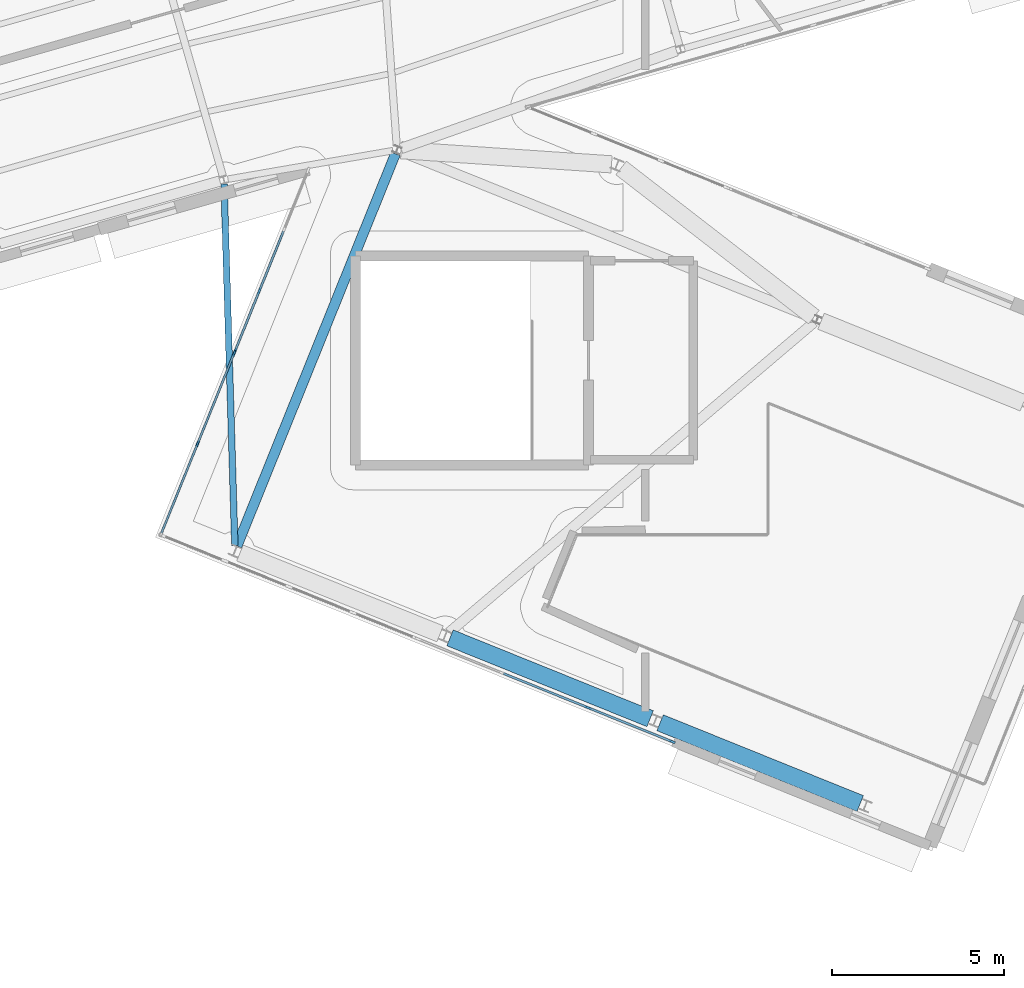
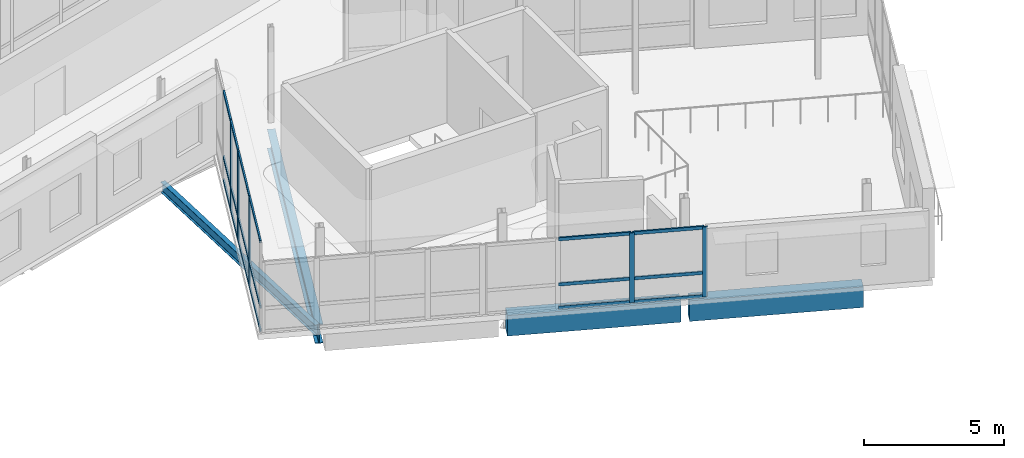
# One storey, part 42 of 125: 24 members, 4 beams, 3 elements without a shape of their own.
"""IFC4 building model written with IfcOpenShell, lengths in metres."""

from ifc_helpers import new_model, si_unit, direction, frame, origin, origin_2d, place, context, subcontext, project, spatial, rectangle, i_section, extrude, material, material_profile, profile_set, type_object, element, aggregate, save


model = new_model("IFC4")

# Units and contexts
model_context = context("Model", 3, precision=1e-05, world=origin(), true_north=direction((0.0, 1.0)))
body_context = subcontext(model_context, "Body", "Model", "MODEL_VIEW")
ifc_project = project(units=[si_unit("LENGTHUNIT", "METRE"), si_unit("AREAUNIT", "SQUARE_METRE"), si_unit("VOLUMEUNIT", "CUBIC_METRE"), si_unit("PLANEANGLEUNIT", "RADIAN"), si_unit("MASSUNIT", "GRAM", prefix="KILO")], contexts=[model_context])

# Site, building, storey
site_placement = place(None, origin())
site = spatial("IfcSite", under=ifc_project, at=site_placement, CompositionType="ELEMENT")
building_placement = place(site_placement, origin())
building = spatial("IfcBuilding", under=site, at=building_placement, Name="Wrenclough Park School", CompositionType="ELEMENT")
storey_placement = place(building_placement, frame((0.0, 0.0, 4.199951171875)))
storey = spatial("IfcBuildingStorey", under=building, at=storey_placement, Name="L01", CompositionType="ELEMENT", Elevation=4.199951171875)

# Curtain wall, members
ifc_material_1 = material(Name="Thermally broken aluminium and low-e glass curtain wall", Category="aluminium")
curtain_wall_type_1 = type_object("IfcCurtainWallType", Name="ENV-CW-02", PredefinedType="USERDEFINED", material=ifc_material_1)
curtain_wall_1_placement = place(storey_placement, origin())
curtain_wall_1 = element("IfcCurtainWall", 1, at=curtain_wall_1_placement, inside=storey, type_object=curtain_wall_type_1, Name="L01 recessed curtain wall assembly 177", ObjectType="CURTAIN WALL", PredefinedType="USERDEFINED")
ifc_material_2 = material(Name="Thermally broken anodised aluminium", Category="aluminium")
ifc_material_profile_1 = material_profile(ifc_material_2, rectangle(XDim=0.06005859375, YDim=0.159912109375, at=origin_2d()), Name="AL MULLION 60x160")
ifc_profile_set_1 = profile_set([ifc_material_profile_1], Name="Thermally broken anodised aluminium")
member_type_1 = type_object("IfcMemberType", Name="ENV-CWM-1", PredefinedType="MULLION", material=ifc_profile_set_1)
member_1_placement = place(storey_placement, frame((43.46142578125, 85.475341796875, 0.0), z_axis=(0.0, 0.0, 1.0), x_axis=(-0.927188643944, 0.374594739073, 0.0)))
member_1 = element("IfcMember", 2, at=member_1_placement, type_object=member_type_1, Name="CW-02 mullion 2", PredefinedType="MULLION", context=body_context, shape_type="SweptSolid", body=[
    extrude(rectangle(XDim=0.06005859375, YDim=0.159912109375, at=origin_2d()), origin(), (0.0, 0.0, 1.0), 3.93994140625),
])
member_2_placement = place(storey_placement, frame((44.52490234375, 88.107421875, 0.0), z_axis=(0.0, 0.0, 1.0), x_axis=(-0.927188643944, 0.374594739073, 0.0)))
member_2 = element("IfcMember", 3, at=member_2_placement, type_object=member_type_1, Name="CW-02 mullion 3", PredefinedType="MULLION", context=body_context, shape_type="SweptSolid", body=[
    extrude(rectangle(XDim=0.06005859375, YDim=0.159912109375, at=origin_2d()), origin(), (0.0, 0.0, 1.0), 3.93994140625),
])

curtain_wall_type_2 = type_object("IfcCurtainWallType", Name="ENV-CW-16", PredefinedType="USERDEFINED", material=ifc_material_1)
curtain_wall_2_placement = place(storey_placement, origin())
curtain_wall_2 = element("IfcCurtainWall", 4, at=curtain_wall_2_placement, inside=storey, type_object=curtain_wall_type_2, Name="L01 recessed curtain wall assembly 175", ObjectType="CURTAIN WALL", PredefinedType="USERDEFINED")
ifc_material_profile_2 = material_profile(ifc_material_2, rectangle(XDim=0.06494140625, YDim=0.179931640625, at=origin_2d()), Name="AL MULLION 65x180")
ifc_profile_set_2 = profile_set([ifc_material_profile_2], Name="Thermally broken anodised aluminium")
member_type_2 = type_object("IfcMemberType", Name="ENV-CWM-2", PredefinedType="MULLION", material=ifc_profile_set_2)
member_3_placement = place(storey_placement, frame((57.28515625, 76.791748046875, 0.0), z_axis=(0.0, 0.0, 1.0), x_axis=(-0.374602999753, -0.927185306493, 0.0)))
member_3 = element("IfcMember", 5, at=member_3_placement, type_object=member_type_2, Name="CW-16 mullion 1", PredefinedType="MULLION", context=body_context, shape_type="SweptSolid", body=[
    extrude(rectangle(XDim=0.06494140625, YDim=0.179931640625, at=origin_2d()), origin(), (0.0, 0.0, 1.0), 3.05712890625),
])
member_4_placement = place(storey_placement, frame((54.828857421875, 77.7841796875, 0.0), z_axis=(0.0, 0.0, 1.0), x_axis=(-0.374602999753, -0.927185306493, 0.0)))
member_4 = element("IfcMember", 6, at=member_4_placement, type_object=member_type_2, Name="CW-16 mullion 2", PredefinedType="MULLION", context=body_context, shape_type="SweptSolid", body=[
    extrude(rectangle(XDim=0.06494140625, YDim=0.179931640625, at=origin_2d()), origin(), (0.0, 0.0, 1.0), 3.05712890625),
])

curtain_wall_type_3 = type_object("IfcCurtainWallType", Name="ENV-CW-03", PredefinedType="USERDEFINED", material=ifc_material_1)
curtain_wall_3_placement = place(storey_placement, origin())
curtain_wall_3 = element("IfcCurtainWall", 7, at=curtain_wall_3_placement, inside=storey, type_object=curtain_wall_type_3, Name="L01 recessed curtain wall assembly 178", ObjectType="CURTAIN WALL", PredefinedType="USERDEFINED")
member_5_placement = place(storey_placement, frame((44.55126953125, 88.1728515625, 0.0), z_axis=(0.0, 0.0, 1.0), x_axis=(-0.927185036262, 0.374603668605, 0.0)))
member_5 = element("IfcMember", 8, at=member_5_placement, type_object=member_type_2, Name="CW-03 mullion 1", PredefinedType="MULLION", context=body_context, shape_type="SweptSolid", body=[
    extrude(rectangle(XDim=0.06494140625, YDim=0.179931640625, at=origin_2d()), origin(), (0.0, 0.0, 1.0), 3.93994140625),
])
member_6_placement = place(storey_placement, frame((45.255615234375, 89.916015625, 0.0), z_axis=(0.0, 0.0, 1.0), x_axis=(-0.927185036262, 0.374603668605, 0.0)))
member_6 = element("IfcMember", 9, at=member_6_placement, type_object=member_type_2, Name="CW-03 mullion 2", PredefinedType="MULLION", context=body_context, shape_type="SweptSolid", body=[
    extrude(rectangle(XDim=0.06494140625, YDim=0.179931640625, at=origin_2d()), origin(), (0.0, 0.0, 1.0), 3.93994140625),
])

# Member
ifc_material_profile_3 = material_profile(ifc_material_2, rectangle(XDim=0.06005859375, YDim=0.1201171875, at=origin_2d()), Name="AL TRANSOM 60x120")
ifc_profile_set_3 = profile_set([ifc_material_profile_3], Name="Thermally broken anodised aluminium")
member_type_3 = type_object("IfcMemberType", Name="ENV-CWT-1", PredefinedType="USERDEFINED", material=ifc_profile_set_3)
member_7_placement = place(storey_placement, frame((42.4091796875, 82.87109375, 0.030029296875), z_axis=(0.374630101035, 0.927174356525, 0.0), x_axis=(-0.927174356525, 0.374630101035, 0.0)))
member_7 = element("IfcMember", 10, at=member_7_placement, type_object=member_type_3, Name="CW-02 transom 1.1", ObjectType="TRANSOM", PredefinedType="USERDEFINED", context=body_context, shape_type="SweptSolid", body=[
    extrude(rectangle(XDim=0.06005859375, YDim=0.1201171875, at=origin_2d()), origin(), (0.0, 0.0, 1.0), 2.77880859375),
])

member_8_placement = place(storey_placement, frame((42.4091796875, 82.87109375, 1.050048828125), z_axis=(0.374630101035, 0.927174356525, 0.0), x_axis=(-0.927174356525, 0.374630101035, 0.0)))
member_8 = element("IfcMember", 11, at=member_8_placement, type_object=member_type_3, Name="CW-02 transom 1.2", ObjectType="TRANSOM", PredefinedType="USERDEFINED", context=body_context, shape_type="SweptSolid", body=[
    extrude(rectangle(XDim=0.06005859375, YDim=0.1201171875, at=origin_2d()), origin(), (0.0, 0.0, 1.0), 2.77880859375),
])

member_9_placement = place(storey_placement, frame((42.4091796875, 82.87109375, 3.91015625), z_axis=(0.374630101035, 0.927174356525, 0.0), x_axis=(-0.927174356525, 0.374630101035, 0.0)))
member_9 = element("IfcMember", 12, at=member_9_placement, type_object=member_type_3, Name="CW-02 transom 1.3", ObjectType="TRANSOM", PredefinedType="USERDEFINED", context=body_context, shape_type="SweptSolid", body=[
    extrude(rectangle(XDim=0.06005859375, YDim=0.1201171875, at=origin_2d()), origin(), (0.0, 0.0, 1.0), 2.77880859375),
])

member_10_placement = place(storey_placement, frame((43.47265625, 85.503173828125, 0.030029296875), z_axis=(0.374630101035, 0.927174356525, 0.0), x_axis=(-0.927174356525, 0.374630101035, 0.0)))
member_10 = element("IfcMember", 13, at=member_10_placement, type_object=member_type_3, Name="CW-02 transom 2.1", ObjectType="TRANSOM", PredefinedType="USERDEFINED", context=body_context, shape_type="SweptSolid", body=[
    extrude(rectangle(XDim=0.06005859375, YDim=0.1201171875, at=origin_2d()), origin(), (0.0, 0.0, 1.0), 2.77880859375),
])

member_11_placement = place(storey_placement, frame((43.47265625, 85.503173828125, 1.050048828125), z_axis=(0.374630101035, 0.927174356525, 0.0), x_axis=(-0.927174356525, 0.374630101035, 0.0)))
member_11 = element("IfcMember", 14, at=member_11_placement, type_object=member_type_3, Name="CW-02 transom 2.2", ObjectType="TRANSOM", PredefinedType="USERDEFINED", context=body_context, shape_type="SweptSolid", body=[
    extrude(rectangle(XDim=0.06005859375, YDim=0.1201171875, at=origin_2d()), origin(), (0.0, 0.0, 1.0), 2.77880859375),
])

member_12_placement = place(storey_placement, frame((43.47265625, 85.503173828125, 3.91015625), z_axis=(0.374630101035, 0.927174356525, 0.0), x_axis=(-0.927174356525, 0.374630101035, 0.0)))
member_12 = element("IfcMember", 15, at=member_12_placement, type_object=member_type_3, Name="CW-02 transom 2.3", ObjectType="TRANSOM", PredefinedType="USERDEFINED", context=body_context, shape_type="SweptSolid", body=[
    extrude(rectangle(XDim=0.06005859375, YDim=0.1201171875, at=origin_2d()), origin(), (0.0, 0.0, 1.0), 2.77880859375),
])

aggregate(curtain_wall_1, [member_1, member_2, member_7, member_8, member_9, member_10, member_11, member_12])

ifc_material_profile_4 = material_profile(ifc_material_2, rectangle(XDim=0.06494140625, YDim=0.139892578125, at=origin_2d()), Name="AL TRANSOM 65x140")
ifc_profile_set_4 = profile_set([ifc_material_profile_4], Name="Thermally broken anodised aluminium")
member_type_4 = type_object("IfcMemberType", Name="ENV-CWT-2", PredefinedType="USERDEFINED", material=ifc_profile_set_4)
member_13_placement = place(storey_placement, frame((57.255126953125, 76.803955078125, 0.032470703125), z_axis=(-0.927187575015, 0.374597384852, 0.0), x_axis=(-0.374597384852, -0.927187575015, 0.0)))
member_13 = element("IfcMember", 16, at=member_13_placement, type_object=member_type_4, Name="CW-16 transom 1.1", ObjectType="TRANSOM", PredefinedType="USERDEFINED", context=body_context, shape_type="SweptSolid", body=[
    extrude(rectangle(XDim=0.06494140625, YDim=0.139892578125, at=origin_2d()), origin(), (0.0, 0.0, 1.0), 2.584228515625),
])

member_14_placement = place(storey_placement, frame((57.255126953125, 76.803955078125, 1.050048828125), z_axis=(-0.927187575015, 0.374597384852, 0.0), x_axis=(-0.374597384852, -0.927187575015, 0.0)))
member_14 = element("IfcMember", 17, at=member_14_placement, type_object=member_type_4, Name="CW-16 transom 1.2", ObjectType="TRANSOM", PredefinedType="USERDEFINED", context=body_context, shape_type="SweptSolid", body=[
    extrude(rectangle(XDim=0.06494140625, YDim=0.139892578125, at=origin_2d()), origin(), (0.0, 0.0, 1.0), 2.584228515625),
])

member_15_placement = place(storey_placement, frame((57.255126953125, 76.803955078125, 3.024658203125), z_axis=(-0.927187575015, 0.374597384852, 0.0), x_axis=(-0.374597384852, -0.927187575015, 0.0)))
member_15 = element("IfcMember", 18, at=member_15_placement, type_object=member_type_4, Name="CW-16 transom 1.3", ObjectType="TRANSOM", PredefinedType="USERDEFINED", context=body_context, shape_type="SweptSolid", body=[
    extrude(rectangle(XDim=0.06494140625, YDim=0.139892578125, at=origin_2d()), origin(), (0.0, 0.0, 1.0), 2.584228515625),
])

member_16_placement = place(storey_placement, frame((54.798828125, 77.79638671875, 0.032470703125), z_axis=(-0.927190744751, 0.37458953916, 0.0), x_axis=(-0.37458953916, -0.927190744751, 0.0)))
member_16 = element("IfcMember", 19, at=member_16_placement, type_object=member_type_4, Name="CW-16 transom 2.1", ObjectType="TRANSOM", PredefinedType="USERDEFINED", context=body_context, shape_type="SweptSolid", body=[
    extrude(rectangle(XDim=0.06494140625, YDim=0.139892578125, at=origin_2d()), origin(), (0.0, 0.0, 1.0), 2.61669921875),
])

member_17_placement = place(storey_placement, frame((54.798828125, 77.79638671875, 1.050048828125), z_axis=(-0.927190744751, 0.37458953916, 0.0), x_axis=(-0.37458953916, -0.927190744751, 0.0)))
member_17 = element("IfcMember", 20, at=member_17_placement, type_object=member_type_4, Name="CW-16 transom 2.2", ObjectType="TRANSOM", PredefinedType="USERDEFINED", context=body_context, shape_type="SweptSolid", body=[
    extrude(rectangle(XDim=0.06494140625, YDim=0.139892578125, at=origin_2d()), origin(), (0.0, 0.0, 1.0), 2.61669921875),
])

member_18_placement = place(storey_placement, frame((54.798828125, 77.79638671875, 3.024658203125), z_axis=(-0.927190744751, 0.37458953916, 0.0), x_axis=(-0.37458953916, -0.927190744751, 0.0)))
member_18 = element("IfcMember", 21, at=member_18_placement, type_object=member_type_4, Name="CW-16 transom 2.3", ObjectType="TRANSOM", PredefinedType="USERDEFINED", context=body_context, shape_type="SweptSolid", body=[
    extrude(rectangle(XDim=0.06494140625, YDim=0.139892578125, at=origin_2d()), origin(), (0.0, 0.0, 1.0), 2.61669921875),
])

aggregate(curtain_wall_2, [member_3, member_4, member_13, member_14, member_15, member_16, member_17, member_18])

member_19_placement = place(storey_placement, frame((44.5634765625, 88.202880859375, 0.032470703125), z_axis=(0.374565339616, 0.927200521116, 0.0), x_axis=(-0.927200521116, 0.374565339616, 0.0)))
member_19 = element("IfcMember", 22, at=member_19_placement, type_object=member_type_4, Name="CW-03 transom 1.1", ObjectType="TRANSOM", PredefinedType="USERDEFINED", context=body_context, shape_type="SweptSolid", body=[
    extrude(rectangle(XDim=0.06494140625, YDim=0.139892578125, at=origin_2d()), origin(), (0.0, 0.0, 1.0), 1.815185546875),
])

member_20_placement = place(storey_placement, frame((44.5634765625, 88.202880859375, 1.050048828125), z_axis=(0.374565339616, 0.927200521116, 0.0), x_axis=(-0.927200521116, 0.374565339616, 0.0)))
member_20 = element("IfcMember", 23, at=member_20_placement, type_object=member_type_4, Name="CW-03 transom 1.2", ObjectType="TRANSOM", PredefinedType="USERDEFINED", context=body_context, shape_type="SweptSolid", body=[
    extrude(rectangle(XDim=0.06494140625, YDim=0.139892578125, at=origin_2d()), origin(), (0.0, 0.0, 1.0), 1.815185546875),
])

member_21_placement = place(storey_placement, frame((44.5634765625, 88.202880859375, 3.907470703125), z_axis=(0.374565339616, 0.927200521116, 0.0), x_axis=(-0.927200521116, 0.374565339616, 0.0)))
member_21 = element("IfcMember", 24, at=member_21_placement, type_object=member_type_4, Name="CW-03 transom 1.3", ObjectType="TRANSOM", PredefinedType="USERDEFINED", context=body_context, shape_type="SweptSolid", body=[
    extrude(rectangle(XDim=0.06494140625, YDim=0.139892578125, at=origin_2d()), origin(), (0.0, 0.0, 1.0), 1.815185546875),
])

member_22_placement = place(storey_placement, frame((45.267822265625, 89.946044921875, 0.032470703125), z_axis=(0.3746006836, 0.927186242265, 0.0), x_axis=(-0.927186242265, 0.3746006836, 0.0)))
member_22 = element("IfcMember", 25, at=member_22_placement, type_object=member_type_4, Name="CW-03 transom 2.1", ObjectType="TRANSOM", PredefinedType="USERDEFINED", context=body_context, shape_type="SweptSolid", body=[
    extrude(rectangle(XDim=0.06494140625, YDim=0.139892578125, at=origin_2d()), origin(), (0.0, 0.0, 1.0), 1.84765625),
])

member_23_placement = place(storey_placement, frame((45.267822265625, 89.946044921875, 1.050048828125), z_axis=(0.3746006836, 0.927186242265, 0.0), x_axis=(-0.927186242265, 0.3746006836, 0.0)))
member_23 = element("IfcMember", 26, at=member_23_placement, type_object=member_type_4, Name="CW-03 transom 2.2", ObjectType="TRANSOM", PredefinedType="USERDEFINED", context=body_context, shape_type="SweptSolid", body=[
    extrude(rectangle(XDim=0.06494140625, YDim=0.139892578125, at=origin_2d()), origin(), (0.0, 0.0, 1.0), 1.84765625),
])

member_24_placement = place(storey_placement, frame((45.267822265625, 89.946044921875, 3.907470703125), z_axis=(0.3746006836, 0.927186242265, 0.0), x_axis=(-0.927186242265, 0.3746006836, 0.0)))
member_24 = element("IfcMember", 27, at=member_24_placement, type_object=member_type_4, Name="CW-03 transom 2.3", ObjectType="TRANSOM", PredefinedType="USERDEFINED", context=body_context, shape_type="SweptSolid", body=[
    extrude(rectangle(XDim=0.06494140625, YDim=0.139892578125, at=origin_2d()), origin(), (0.0, 0.0, 1.0), 1.84765625),
])

aggregate(curtain_wall_3, [member_5, member_6, member_19, member_20, member_21, member_22, member_23, member_24])

# Beams
ifc_material_3 = material(Name="Concrete C40/50", Category="concrete")
ifc_material_profile_5 = material_profile(ifc_material_3, rectangle(XDim=0.5, YDim=0.89990234375, at=origin_2d()), Name="RC BEAM 500x900")
ifc_profile_set_5 = profile_set([ifc_material_profile_5], Name="Concrete C40/50")
beam_type_1 = type_object("IfcBeamType", Name="STR-BM-RC500", PredefinedType="BEAM", material=ifc_profile_set_5)
for number, where, z_axis, x_axis, name in (
    (28, (50.813720703125, 79.816162109375, -0.68994140625), (0.927188145435, -0.37459597297, 0.0), (0.37459597297, 0.927188145435, 0.0), "W34 Dining Pavilion L01 frame girder 2.4"),
    (29, (56.93310546875, 77.34375, -0.68994140625), (0.927188145435, -0.37459597297, 0.0), (0.37459597297, 0.927188145435, 0.0), "W34 Dining Pavilion L01 frame girder 4.6"),
):
    element("IfcBeam", number, at=place(storey_placement, frame(where, z_axis=z_axis, x_axis=x_axis)), inside=storey, type_object=beam_type_1, Name=name, PredefinedType="BEAM", context=body_context, shape_type="SweptSolid", body=[
        extrude(rectangle(XDim=0.5, YDim=0.89990234375, at=origin_2d()), origin(), (0.0, 0.0, 1.0), 6.2861328125),
    ])
ifc_material_4 = material(Name="Structural steel S355", Category="steel")
ifc_material_profile_6 = material_profile(ifc_material_4, i_section(OverallWidth=0.18994140625, OverallDepth=0.453369140625, WebThickness=0.008544921875, FlangeThickness=0.0126953125, FilletRadius=0.01025390625, at=origin_2d()), Name="UKB 457x191x67")
ifc_profile_set_6 = profile_set([ifc_material_profile_6], Name="Structural steel S355")
beam_type_2 = type_object("IfcBeamType", Name="STR-BM-UKB457A", PredefinedType="BEAM", material=ifc_profile_set_6)
beam_1_placement = place(storey_placement, frame((44.544189453125, 82.50439453125, -0.466552734375), z_axis=(-0.02982259718, 0.999555207429, 0.0), x_axis=(-0.999555207429, -0.02982259718, 0.0)))
element("IfcBeam", 30, at=beam_1_placement, inside=storey, type_object=beam_type_2, Name="Primary frame continuity tie beam 0143", PredefinedType="BEAM", context=body_context, shape_type="SweptSolid", body=[
    extrude(i_section(OverallWidth=0.18994140625, OverallDepth=0.453369140625, WebThickness=0.008544921875, FlangeThickness=0.0126953125, FilletRadius=0.01025390625, at=origin_2d()), origin(), (0.0, 0.0, 1.0), 10.535888671875),
])
ifc_material_profile_7 = material_profile(ifc_material_4, i_section(OverallWidth=0.29248046875, OverallDepth=0.8408203125, WebThickness=0.0146484375, FlangeThickness=0.021728515625, FilletRadius=0.017822265625, at=origin_2d()), Name="UKB 838x292x194")
ifc_profile_set_7 = profile_set([ifc_material_profile_7], Name="Structural steel S355")
beam_type_3 = type_object("IfcBeamType", Name="STR-BM-UKB838", PredefinedType="BEAM", material=ifc_profile_set_7)
beam_2_placement = place(storey_placement, frame((44.607666015625, 82.492919921875, -0.660400390625), z_axis=(0.374586234364, 0.927192079897, 0.0), x_axis=(-0.927192079897, 0.374586234364, 0.0)))
element("IfcBeam", 31, at=beam_2_placement, inside=storey, type_object=beam_type_3, Name="W34 Dining Pavilion L01 frame girder 0.1", PredefinedType="BEAM", context=body_context, shape_type="SweptSolid", body=[
    extrude(i_section(OverallWidth=0.29248046875, OverallDepth=0.8408203125, WebThickness=0.0146484375, FlangeThickness=0.021728515625, FilletRadius=0.017822265625, at=origin_2d()), origin(), (0.0, 0.0, 1.0), 12.32080078125),
])

save(model, "model.ifc")
